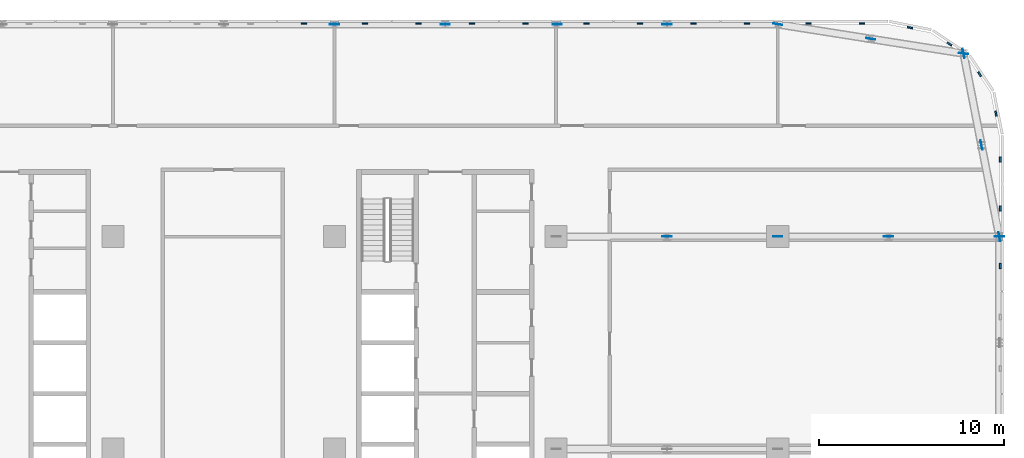
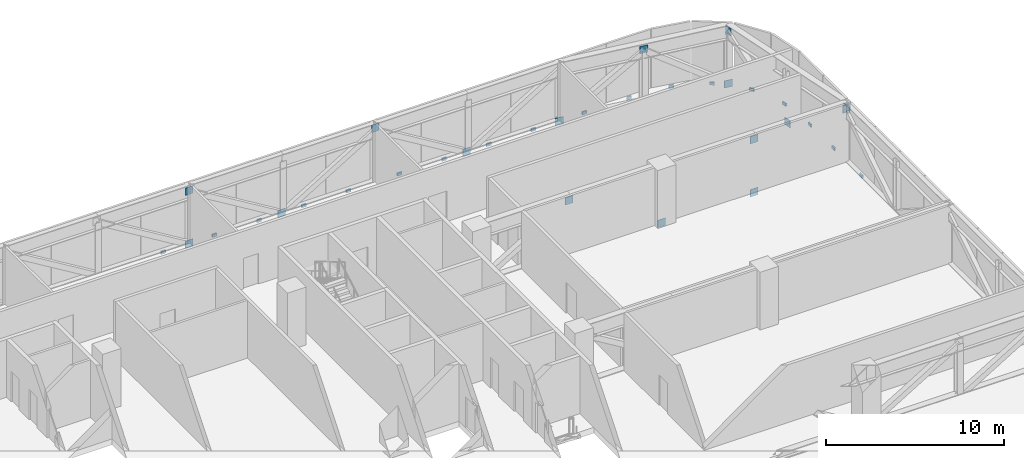
# One storey, part 20 of 26: 34 discrete accessories.
"""IFC4 building model written with IfcOpenShell, lengths in metres."""

from ifc_helpers import new_model, si_unit, direction, frame, origin, origin_2d, place, context, subcontext, project, spatial, rectangle, extrude, material, layer, layer_set, type_object, element, save


model = new_model("IFC4")

# Units and contexts
model_context = context("Model", 3, precision=1e-05, world=origin(), true_north=direction((0.0, 1.0)))
body_context = subcontext(model_context, "Body", "Model", "MODEL_VIEW")
ifc_project = project(units=[si_unit("LENGTHUNIT", "METRE"), si_unit("AREAUNIT", "SQUARE_METRE"), si_unit("VOLUMEUNIT", "CUBIC_METRE"), si_unit("PLANEANGLEUNIT", "RADIAN"), si_unit("MASSUNIT", "GRAM", prefix="KILO")], contexts=[model_context])

# Site, building, storey
site_placement = place(None, origin())
site = spatial("IfcSite", under=ifc_project, at=site_placement, CompositionType="ELEMENT")
building_placement = place(site_placement, origin())
building = spatial("IfcBuilding", under=site, at=building_placement, Name="Mahtab Terrace Research Tower", CompositionType="ELEMENT")
storey_placement = place(building_placement, frame((0.0, 0.0, 189.60009765625)))
storey = spatial("IfcBuildingStorey", under=building, at=storey_placement, Name="L45", CompositionType="ELEMENT", Elevation=189.60009765625)

# Discrete accessories
ifc_material_1 = material(Name="Black anodised aluminium", Category="aluminium")
discrete_accessory_type_1 = type_object("IfcDiscreteAccessoryType", Name="Facade bracket", PredefinedType="BRACKET", material=ifc_material_1)
for number, where, z_axis, x_axis, name in (
    (1, (54.044921875, 9.91259765625, -0.30029296875), (0.0, 0.0, 1.0), (0.0, 1.0, 0.0), "Louvre bracket L45 16"),
    (2, (54.044921875, 13.02490234375, -0.30029296875), (0.0, 0.0, 1.0), (0.0, 1.0, 0.0), "Louvre bracket L45 17"),
    (3, (54.044921875, 15.675048828125, -0.30029296875), (0.0, 0.0, 1.0), (0.0, 1.0, 0.0), "Louvre bracket L45 18"),
    (4, (53.815673828125, 18.15673828125, -0.30029296875), (0.0, 0.0, 1.0), (-0.195212442692, 0.980760981187, 0.0), "Louvre bracket L45 19"),
    (5, (52.930419921875, 20.29443359375, -0.30029296875), (0.0, 0.0, 1.0), (-0.555291490808, 0.831655794326, 0.0), "Louvre bracket L45 20"),
    (6, (51.29443359375, 21.930419921875, -0.30029296875), (0.0, 0.0, 1.0), (-0.831655794326, 0.555291490808, 0.0), "Louvre bracket L45 21"),
    (7, (49.15673828125, 22.815673828125, -0.30029296875), (0.0, 0.0, 1.0), (-0.980760981187, 0.195212442692, 0.0), "Louvre bracket L45 22"),
    (8, (46.552001953125, 23.044921875, -0.30029296875), (0.0, 0.0, 1.0), (-1.0, 0.0, 0.0), "Louvre bracket L45 23"),
    (9, (43.656005859375, 23.044921875, -0.30029296875), (0.0, 0.0, 1.0), (-1.0, 0.0, 0.0), "Louvre bracket L45 24"),
    (10, (40.343994140625, 23.044921875, -0.30029296875), (0.0, 0.0, 1.0), (-1.0, 0.0, 0.0), "Louvre bracket L45 25"),
    (11, (37.447998046875, 23.044921875, -0.30029296875), (0.0, 0.0, 1.0), (-1.0, 0.0, 0.0), "Louvre bracket L45 26"),
    (12, (34.552001953125, 23.044921875, -0.30029296875), (0.0, 0.0, 1.0), (-1.0, 0.0, 0.0), "Louvre bracket L45 27"),
    (13, (31.656005859375, 23.044921875, -0.30029296875), (0.0, 0.0, 1.0), (-1.0, 0.0, 0.0), "Louvre bracket L45 28"),
    (14, (28.343994140625, 23.044921875, -0.30029296875), (0.0, 0.0, 1.0), (-1.0, 0.0, 0.0), "Louvre bracket L45 29"),
    (15, (25.447998046875, 23.044921875, -0.30029296875), (0.0, 0.0, 1.0), (-1.0, 0.0, 0.0), "Louvre bracket L45 30"),
    (16, (22.552001953125, 23.044921875, -0.30029296875), (0.0, 0.0, 1.0), (-1.0, 0.0, 0.0), "Louvre bracket L45 31"),
    (17, (19.656005859375, 23.044921875, -0.30029296875), (0.0, 0.0, 1.0), (-1.0, 0.0, 0.0), "Louvre bracket L45 32"),
    (18, (16.343994140625, 23.044921875, -0.30029296875), (0.0, 0.0, 1.0), (-1.0, 0.0, 0.0), "Louvre bracket L45 33"),
):
    element("IfcDiscreteAccessory", number, at=place(storey_placement, frame(where, z_axis=z_axis, x_axis=x_axis)), inside=storey, type_object=discrete_accessory_type_1, Name=name, PredefinedType="BRACKET", context=body_context, shape_type="SweptSolid", body=[
        extrude(rectangle(XDim=0.300048828125, YDim=0.090087890625, at=origin_2d()), origin(), (0.0, 0.0, 1.0), 0.199951171875),
    ])
ifc_material_2 = material(Name="Steel ASTM A992 Gr 50", Category="steel")
ifc_layer = layer(ifc_material_2, 0.030029296875)
ifc_layer_set = layer_set([ifc_layer], Name="Gusset plate 500x500x30")
discrete_accessory_type_2 = type_object("IfcDiscreteAccessoryType", Name="Gusset plate 500x500x30", PredefinedType="USERDEFINED", material=ifc_layer_set)
for number, where, z_axis, x_axis, name in (
    (19, (18.0, 23.0, -0.427978515625), (0.0, 0.0, 1.0), (1.0, 0.0, 0.0), "Gusset plate"),
    (20, (18.0, 23.0, 3.20947265625), (0.0, 0.0, 1.0), (1.0, 0.0, 0.0), "Gusset plate"),
    (21, (24.0, 23.0, -0.427978515625), (0.0, 0.0, 1.0), (1.0, 0.0, 0.0), "Gusset plate"),
    (22, (30.06689453125, 23.0, 3.284423828125), (0.0, 0.0, 1.0), (1.0, 0.0, 0.0), "Gusset plate"),
    (23, (36.0, 11.5, 3.20947265625), (0.0, 0.0, 1.0), (1.0, 0.0, 0.0), "Gusset plate"),
    (24, (36.0, 23.0, -0.427978515625), (0.0, 0.0, 1.0), (1.0, 0.0, 0.0), "Gusset plate"),
    (25, (42.0, 11.5, -0.427978515625), (0.0, 0.0, 1.0), (1.0, 0.0, 0.0), "Gusset plate"),
    (26, (48.0, 11.5, -0.427978515625), (0.0, 0.0, 1.0), (1.0, 0.0, 0.0), "Gusset plate"),
    (27, (48.0, 11.5, 3.20947265625), (0.0, 0.0, 1.0), (1.0, 0.0, 0.0), "Gusset plate"),
    (28, (54.0, 11.5, 3.20947265625), (0.0, 0.0, 1.0), (1.0, 0.0, 0.0), "Gusset plate"),
    (29, (52.06201171875, 21.416015625, 3.20947265625), (0.0, 0.0, 1.0), (-0.19181971899, 0.981430178569, 0.0), "Gusset plate"),
    (30, (53.031005859375, 16.4580078125, -0.427978515625), (0.0, 0.0, 1.0), (-0.19181971899, 0.981430178569, 0.0), "Gusset plate"),
    (31, (54.0, 11.5, 3.20947265625), (0.0, 0.0, 1.0), (-0.19181971899, 0.981430178569, 0.0), "Gusset plate"),
    (32, (42.0, 23.0, -0.427978515625), (0.0, 0.0, 1.0), (-0.987835337919, 0.15550352137, 0.0), "Gusset plate"),
    (33, (47.031005859375, 22.2080078125, 3.20947265625), (0.0, 0.0, 1.0), (-0.987835337919, 0.15550352137, 0.0), "Gusset plate"),
    (34, (52.06201171875, 21.416015625, -0.427978515625), (0.0, 0.0, 1.0), (-0.987835337919, 0.15550352137, 0.0), "Gusset plate"),
):
    element("IfcDiscreteAccessory", number, at=place(storey_placement, frame(where, z_axis=z_axis, x_axis=x_axis)), inside=storey, type_object=discrete_accessory_type_2, Name=name, ObjectType="GUSSET PLATE", PredefinedType="USERDEFINED", context=body_context, shape_type="SweptSolid", body=[
        extrude(rectangle(XDim=0.5, YDim=0.030029296875, at=origin_2d()), origin(), (0.0, 0.0, 1.0), 0.5),
    ])

save(model, "model.ifc")
